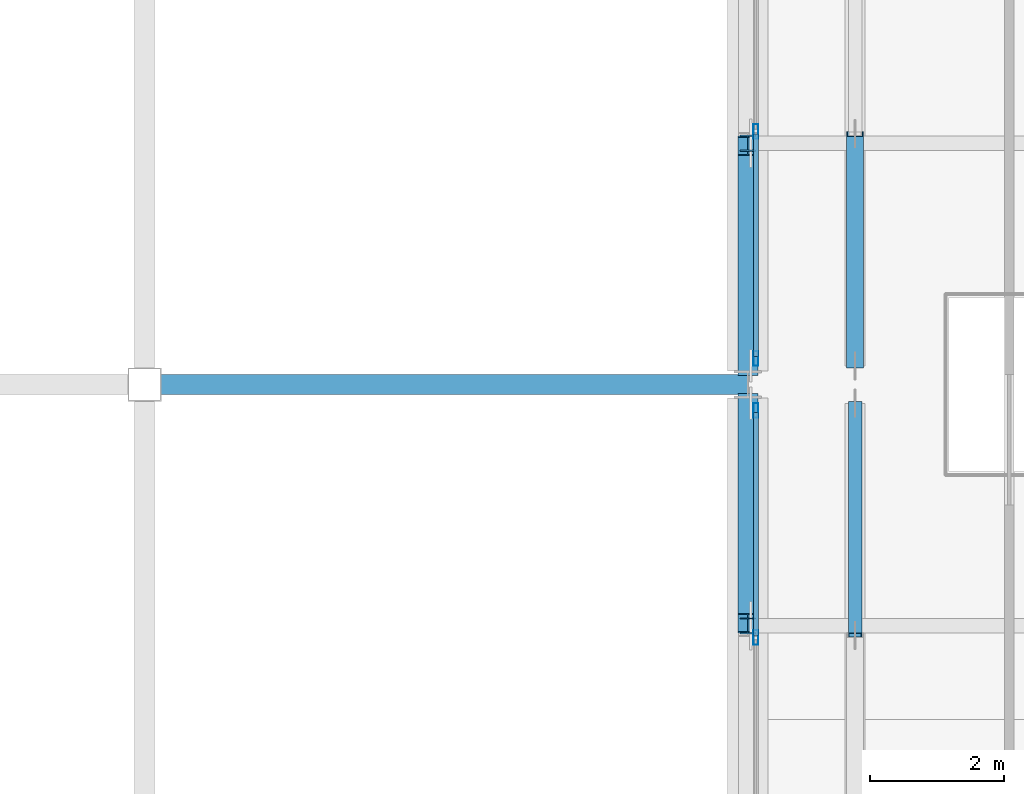
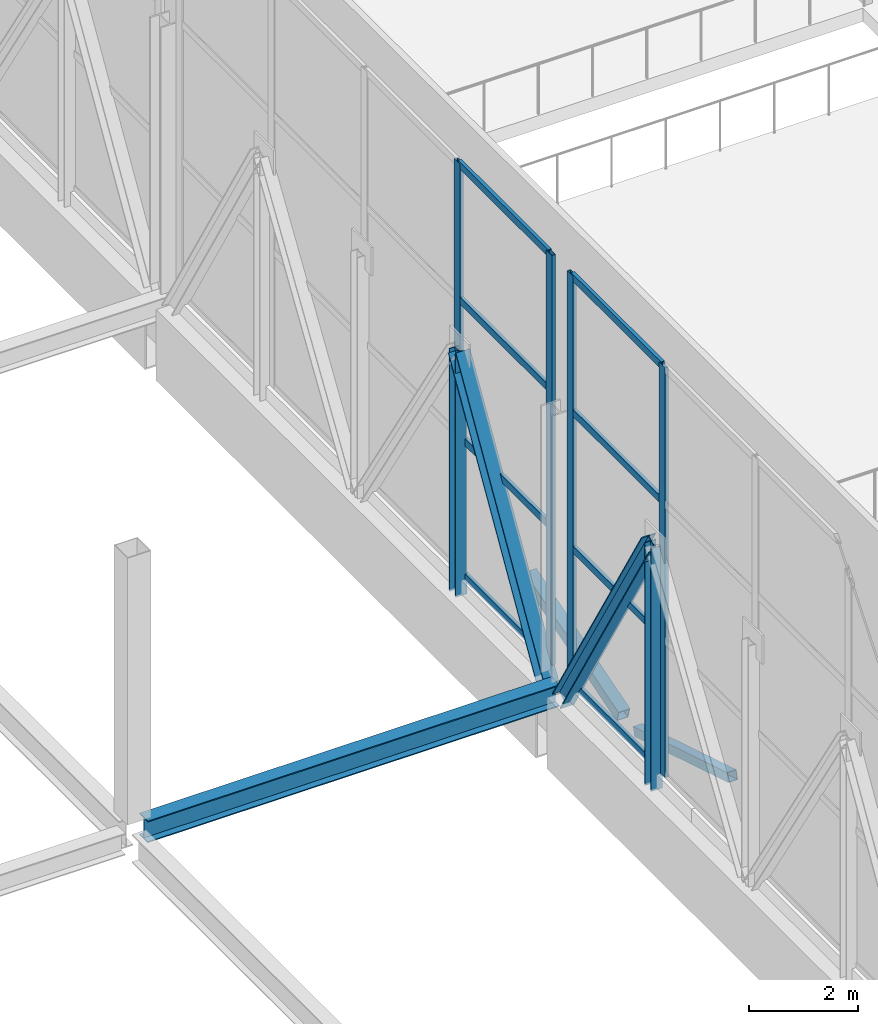
# One storey, part 33 of 191: 18 members, 1 beam, 2 elements without a shape of their own.
"""IFC4 building model written with IfcOpenShell, lengths in metres."""

from ifc_helpers import new_model, si_unit, direction, frame, origin, origin_2d, place, context, subcontext, project, spatial, hollow_rectangle, i_section, extrude, material, layer, layer_set, material_profile, profile_set, type_object, element, aggregate, save


model = new_model("IFC4")

# Units and contexts
model_context = context("Model", 3, precision=1e-05, world=origin(), true_north=direction((0.0, 1.0)))
body_context = subcontext(model_context, "Body", "Model", "MODEL_VIEW")
ifc_project = project(units=[si_unit("LENGTHUNIT", "METRE"), si_unit("AREAUNIT", "SQUARE_METRE"), si_unit("VOLUMEUNIT", "CUBIC_METRE"), si_unit("PLANEANGLEUNIT", "RADIAN"), si_unit("MASSUNIT", "GRAM", prefix="KILO")], contexts=[model_context])

# Site, building, storey
site_placement = place(None, origin())
site = spatial("IfcSite", under=ifc_project, at=site_placement, CompositionType="ELEMENT")
building_placement = place(site_placement, origin())
building = spatial("IfcBuilding", under=site, at=building_placement, Name="Tamarisk Ironworks Central Station", CompositionType="ELEMENT")
storey_placement = place(building_placement, frame((0.0, 0.0, 6.60009765625)))
storey = spatial("IfcBuildingStorey", under=building, at=storey_placement, Name="L01", CompositionType="ELEMENT", Elevation=6.60009765625)

# Beam
ifc_material_1 = material(Name="Structural steel S355J2", Category="steel")
ifc_material_profile_1 = material_profile(ifc_material_1, i_section(OverallWidth=0.300048828125, OverallDepth=0.489990234375, WebThickness=0.011962890625, FlangeThickness=0.02294921875, at=origin_2d()), Name="HEA 500")
ifc_profile_set_1 = profile_set([ifc_material_profile_1], Name="Structural steel S355J2")
beam_type = type_object("IfcBeamType", Name="BM-G05", PredefinedType="BEAM", material=ifc_profile_set_1)
beam_placement = place(storey_placement, frame((45.238037109375, 36.0, -0.385009765625), z_axis=(1.0, 0.0, 0.0), x_axis=(0.0, 1.0, 0.0)))
element("IfcBeam", 1, at=beam_placement, inside=storey, type_object=beam_type, Name="L01 primary girder X-0047", PredefinedType="BEAM", context=body_context, shape_type="SweptSolid", body=[
    extrude(i_section(OverallWidth=0.300048828125, OverallDepth=0.489990234375, WebThickness=0.011962890625, FlangeThickness=0.02294921875, at=origin_2d()), origin(), (0.0, 0.0, 1.0), 8.758056640625),
])

# Curtain wall, members
ifc_material_2 = material(Name="Anodized aluminium alloy 6063-T6", Category="aluminium")
ifc_layer = layer(ifc_material_2, 0.179931640625)
ifc_layer_set = layer_set([ifc_layer], Name="Anodized aluminium alloy 6063-T6")
curtain_wall_type = type_object("IfcCurtainWallType", Name="CW-06", PredefinedType="USERDEFINED", material=ifc_layer_set)
curtain_wall_1_placement = place(storey_placement, origin())
curtain_wall_1 = element("IfcCurtainWall", 2, at=curtain_wall_1_placement, inside=storey, type_object=curtain_wall_type, Name="Concourse W track-overlook curtain wall 02", ObjectType="GLAZED CURTAIN WALL", PredefinedType="USERDEFINED")
ifc_material_profile_2 = material_profile(ifc_material_2, hollow_rectangle(XDim=0.074951171875, YDim=0.219970703125, WallThickness=0.00390625, at=origin_2d()), Name="ALUM 220x75")
ifc_profile_set_2 = profile_set([ifc_material_profile_2], Name="Anodized aluminium alloy 6063-T6")
member_type_1 = type_object("IfcMemberType", Name="CWM-01", PredefinedType="MULLION", material=ifc_profile_set_2)
member_1_placement = place(storey_placement, frame((54.1201171875, 32.22509765625, 0.0), z_axis=(0.0, 0.0, 1.0), x_axis=(-1.0, 0.0, 0.0)))
member_1 = element("IfcMember", 3, at=member_1_placement, type_object=member_type_1, Name="CW06 mullion 4", PredefinedType="MULLION", context=body_context, shape_type="SweptSolid", body=[
    extrude(hollow_rectangle(XDim=0.074951171875, YDim=0.219970703125, WallThickness=0.00390625, at=origin_2d()), origin(), (0.0, 0.0, 1.0), 9.219970703125),
])
member_2_placement = place(storey_placement, frame((54.1201171875, 35.612548828125, 0.0), z_axis=(0.0, 0.0, 1.0), x_axis=(-1.0, 0.0, 0.0)))
member_2 = element("IfcMember", 4, at=member_2_placement, type_object=member_type_1, Name="CW06 mullion 5", PredefinedType="MULLION", context=body_context, shape_type="SweptSolid", body=[
    extrude(hollow_rectangle(XDim=0.074951171875, YDim=0.219970703125, WallThickness=0.00390625, at=origin_2d()), origin(), (0.0, 0.0, 1.0), 9.219970703125),
])

curtain_wall_2_placement = place(storey_placement, origin())
curtain_wall_2 = element("IfcCurtainWall", 5, at=curtain_wall_2_placement, inside=storey, type_object=curtain_wall_type, Name="Concourse W track-overlook curtain wall 03", ObjectType="GLAZED CURTAIN WALL", PredefinedType="USERDEFINED")
member_3_placement = place(storey_placement, frame((54.1201171875, 36.387451171875, 0.0), z_axis=(0.0, 0.0, 1.0), x_axis=(-1.0, 0.0, 0.0)))
member_3 = element("IfcMember", 6, at=member_3_placement, type_object=member_type_1, Name="CW06 mullion 1", PredefinedType="MULLION", context=body_context, shape_type="SweptSolid", body=[
    extrude(hollow_rectangle(XDim=0.074951171875, YDim=0.219970703125, WallThickness=0.00390625, at=origin_2d()), origin(), (0.0, 0.0, 1.0), 9.219970703125),
])
member_4_placement = place(storey_placement, frame((54.1201171875, 39.77490234375, 0.0), z_axis=(0.0, 0.0, 1.0), x_axis=(-1.0, 0.0, 0.0)))
member_4 = element("IfcMember", 7, at=member_4_placement, type_object=member_type_1, Name="CW06 mullion 2", PredefinedType="MULLION", context=body_context, shape_type="SweptSolid", body=[
    extrude(hollow_rectangle(XDim=0.074951171875, YDim=0.219970703125, WallThickness=0.00390625, at=origin_2d()), origin(), (0.0, 0.0, 1.0), 9.219970703125),
])

# Member
ifc_material_profile_3 = material_profile(ifc_material_2, hollow_rectangle(XDim=0.074951171875, YDim=0.159912109375, WallThickness=0.00390625, at=origin_2d()), Name="ALUM 160x75")
ifc_profile_set_3 = profile_set([ifc_material_profile_3], Name="Anodized aluminium alloy 6063-T6")
member_type_2 = type_object("IfcMemberType", Name="CWT-01", PredefinedType="USERDEFINED", material=ifc_profile_set_3)
member_5_placement = place(storey_placement, frame((54.1201171875, 32.258544921875, 0.037353515625), z_axis=(0.0, 1.0, 0.0), x_axis=(-1.0, 0.0, 0.0)))
member_5 = element("IfcMember", 8, at=member_5_placement, type_object=member_type_2, Name="CW06 transom 4.1", ObjectType="TRANSOM", PredefinedType="USERDEFINED", context=body_context, shape_type="SweptSolid", body=[
    extrude(hollow_rectangle(XDim=0.074951171875, YDim=0.159912109375, WallThickness=0.00390625, at=origin_2d()), origin(), (0.0, 0.0, 1.0), 3.320556640625),
])

member_6_placement = place(storey_placement, frame((54.1201171875, 32.258544921875, 3.0732421875), z_axis=(0.0, 1.0, 0.0), x_axis=(-1.0, 0.0, 0.0)))
member_6 = element("IfcMember", 9, at=member_6_placement, type_object=member_type_2, Name="CW06 transom 4.2", ObjectType="TRANSOM", PredefinedType="USERDEFINED", context=body_context, shape_type="SweptSolid", body=[
    extrude(hollow_rectangle(XDim=0.074951171875, YDim=0.159912109375, WallThickness=0.00390625, at=origin_2d()), origin(), (0.0, 0.0, 1.0), 3.320556640625),
])

member_7_placement = place(storey_placement, frame((54.1201171875, 32.258544921875, 6.146484375), z_axis=(0.0, 1.0, 0.0), x_axis=(-1.0, 0.0, 0.0)))
member_7 = element("IfcMember", 10, at=member_7_placement, type_object=member_type_2, Name="CW06 transom 4.3", ObjectType="TRANSOM", PredefinedType="USERDEFINED", context=body_context, shape_type="SweptSolid", body=[
    extrude(hollow_rectangle(XDim=0.074951171875, YDim=0.159912109375, WallThickness=0.00390625, at=origin_2d()), origin(), (0.0, 0.0, 1.0), 3.320556640625),
])

member_8_placement = place(storey_placement, frame((54.1201171875, 32.258544921875, 9.182373046875), z_axis=(0.0, 1.0, 0.0), x_axis=(-1.0, 0.0, 0.0)))
member_8 = element("IfcMember", 11, at=member_8_placement, type_object=member_type_2, Name="CW06 transom 4.4", ObjectType="TRANSOM", PredefinedType="USERDEFINED", context=body_context, shape_type="SweptSolid", body=[
    extrude(hollow_rectangle(XDim=0.074951171875, YDim=0.159912109375, WallThickness=0.00390625, at=origin_2d()), origin(), (0.0, 0.0, 1.0), 3.320556640625),
])

aggregate(curtain_wall_1, [member_1, member_2, member_5, member_6, member_7, member_8])

member_9_placement = place(storey_placement, frame((54.1201171875, 36.4208984375, 0.037353515625), z_axis=(0.0, 1.0, 0.0), x_axis=(-1.0, 0.0, 0.0)))
member_9 = element("IfcMember", 12, at=member_9_placement, type_object=member_type_2, Name="CW06 transom 1.1", ObjectType="TRANSOM", PredefinedType="USERDEFINED", context=body_context, shape_type="SweptSolid", body=[
    extrude(hollow_rectangle(XDim=0.074951171875, YDim=0.159912109375, WallThickness=0.00390625, at=origin_2d()), origin(), (0.0, 0.0, 1.0), 3.320556640625),
])

member_10_placement = place(storey_placement, frame((54.1201171875, 36.4208984375, 3.0732421875), z_axis=(0.0, 1.0, 0.0), x_axis=(-1.0, 0.0, 0.0)))
member_10 = element("IfcMember", 13, at=member_10_placement, type_object=member_type_2, Name="CW06 transom 1.2", ObjectType="TRANSOM", PredefinedType="USERDEFINED", context=body_context, shape_type="SweptSolid", body=[
    extrude(hollow_rectangle(XDim=0.074951171875, YDim=0.159912109375, WallThickness=0.00390625, at=origin_2d()), origin(), (0.0, 0.0, 1.0), 3.320556640625),
])

member_11_placement = place(storey_placement, frame((54.1201171875, 36.4208984375, 6.146484375), z_axis=(0.0, 1.0, 0.0), x_axis=(-1.0, 0.0, 0.0)))
member_11 = element("IfcMember", 14, at=member_11_placement, type_object=member_type_2, Name="CW06 transom 1.3", ObjectType="TRANSOM", PredefinedType="USERDEFINED", context=body_context, shape_type="SweptSolid", body=[
    extrude(hollow_rectangle(XDim=0.074951171875, YDim=0.159912109375, WallThickness=0.00390625, at=origin_2d()), origin(), (0.0, 0.0, 1.0), 3.320556640625),
])

member_12_placement = place(storey_placement, frame((54.1201171875, 36.4208984375, 9.182373046875), z_axis=(0.0, 1.0, 0.0), x_axis=(-1.0, 0.0, 0.0)))
member_12 = element("IfcMember", 15, at=member_12_placement, type_object=member_type_2, Name="CW06 transom 1.4", ObjectType="TRANSOM", PredefinedType="USERDEFINED", context=body_context, shape_type="SweptSolid", body=[
    extrude(hollow_rectangle(XDim=0.074951171875, YDim=0.159912109375, WallThickness=0.00390625, at=origin_2d()), origin(), (0.0, 0.0, 1.0), 3.320556640625),
])

aggregate(curtain_wall_2, [member_3, member_4, member_9, member_10, member_11, member_12])

# Members
ifc_material_3 = material(Name="Structural steel S355J2H", Category="steel")
ifc_material_profile_4 = material_profile(ifc_material_3, hollow_rectangle(XDim=0.25, YDim=0.25, WallThickness=0.012451171875, at=origin_2d()), Name="SHS 250x250x12.5")
ifc_profile_set_4 = profile_set([ifc_material_profile_4], Name="Structural steel S355J2H")
member_type_3 = type_object("IfcMemberType", Name="MB-BR01", PredefinedType="BRACE", material=ifc_profile_set_4)
member_13_placement = place(storey_placement, frame((55.60009765625, 36.280029296875, -1.64013671875), z_axis=(0.0, 0.956131332595, 0.292938346467), x_axis=(-1.0, 0.0, 0.0)))
element("IfcMember", 16, at=member_13_placement, inside=storey, type_object=member_type_3, Name="Bridge deck stiffening web brace 121", PredefinedType="BRACE", context=body_context, shape_type="SweptSolid", body=[
    extrude(hollow_rectangle(XDim=0.25, YDim=0.25, WallThickness=0.012451171875, at=origin_2d()), origin(), (0.0, 0.0, 1.0), 3.61865234375),
])
ifc_material_profile_5 = material_profile(ifc_material_3, hollow_rectangle(XDim=0.199951171875, YDim=0.199951171875, WallThickness=0.010009765625, at=origin_2d()), Name="SHS 200x200x10")
ifc_profile_set_5 = profile_set([ifc_material_profile_5], Name="Structural steel S355J2H")
member_type_4 = type_object("IfcMemberType", Name="MB-BR02", PredefinedType="BRACE", material=ifc_profile_set_5)
member_14_placement = place(storey_placement, frame((55.60009765625, 32.260009765625, -0.580078125), z_axis=(0.0, 0.956131332595, -0.292938346467), x_axis=(-1.0, 0.0, 0.0)))
element("IfcMember", 17, at=member_14_placement, inside=storey, type_object=member_type_4, Name="Bridge deck stiffening web brace 118", PredefinedType="BRACE", context=body_context, shape_type="SweptSolid", body=[
    extrude(hollow_rectangle(XDim=0.199951171875, YDim=0.199951171875, WallThickness=0.010009765625, at=origin_2d()), origin(), (0.0, 0.0, 1.0), 3.61865234375),
])
ifc_material_profile_6 = material_profile(ifc_material_1, i_section(OverallWidth=0.300048828125, OverallDepth=0.340087890625, WebThickness=0.011962890625, FlangeThickness=0.021484375, at=origin_2d()), Name="HEB 340")
ifc_profile_set_6 = profile_set([ifc_material_profile_6], Name="Structural steel S355J2")
member_type_5 = type_object("IfcMemberType", Name="MB-TTD01", PredefinedType="BRACE", material=ifc_profile_set_6)
for number, where, z_axis, x_axis, name in (
    (18, (54.0, 32.43994140625, 5.119873046875), (0.0, 0.512200847378, -0.858865700762), (-1.0, 0.0, 0.0), "Transfer truss diagonal 006"),
    (19, (54.0, 36.280029296875, -0.380126953125), (0.0, 0.512200847378, 0.858865700762), (-1.0, 0.0, 0.0), "Transfer truss diagonal 008"),
):
    element("IfcMember", number, at=place(storey_placement, frame(where, z_axis=z_axis, x_axis=x_axis)), inside=storey, type_object=member_type_5, Name=name, PredefinedType="BRACE", context=body_context, shape_type="SweptSolid", body=[
        extrude(i_section(OverallWidth=0.300048828125, OverallDepth=0.340087890625, WebThickness=0.011962890625, FlangeThickness=0.021484375, at=origin_2d()), origin(), (0.0, 0.0, 1.0), 6.40380859375),
    ])
ifc_material_profile_7 = material_profile(ifc_material_1, i_section(OverallWidth=0.239990234375, OverallDepth=0.239990234375, WebThickness=0.010009765625, FlangeThickness=0.01708984375, at=origin_2d()), Name="HEB 240")
ifc_profile_set_7 = profile_set([ifc_material_profile_7], Name="Structural steel S355J2")
member_type_6 = type_object("IfcMemberType", Name="MB-TTP02", PredefinedType="POST", material=ifc_profile_set_7)
for number, where, z_axis, x_axis, name in (
    (20, (54.0, 32.39990234375, -0.340087890625), (0.0, 0.0, 1.0), (1.0, 0.0, 0.0), "Transfer truss vertical post 007"),
    (21, (54.0, 39.60009765625, -0.340087890625), (0.0, 0.0, 1.0), (1.0, 0.0, 0.0), "Transfer truss vertical post 010"),
):
    element("IfcMember", number, at=place(storey_placement, frame(where, z_axis=z_axis, x_axis=x_axis)), inside=storey, type_object=member_type_6, Name=name, PredefinedType="POST", context=body_context, shape_type="SweptSolid", body=[
        extrude(i_section(OverallWidth=0.239990234375, OverallDepth=0.239990234375, WebThickness=0.010009765625, FlangeThickness=0.01708984375, at=origin_2d()), origin(), (0.0, 0.0, 1.0), 5.4599609375),
    ])

save(model, "model.ifc")
